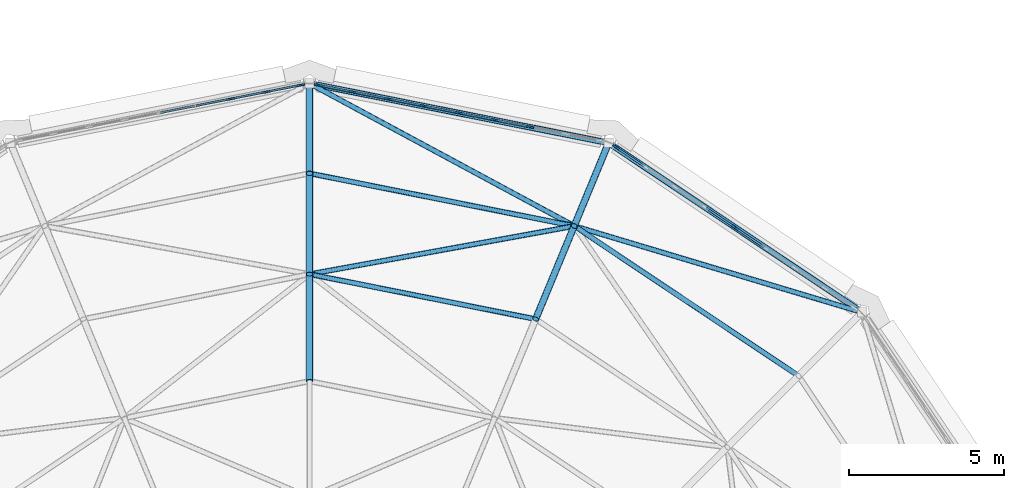
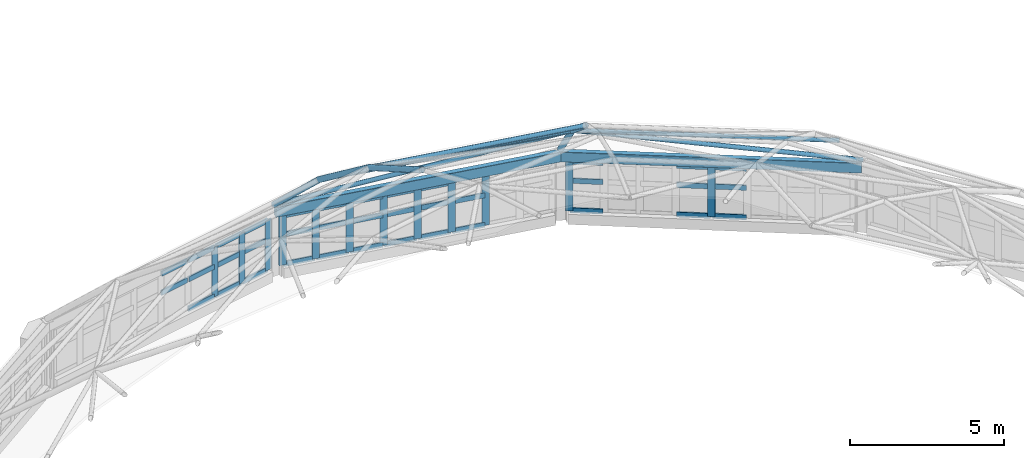
# One storey, part 26 of 68: 60 members, 2 beams, 3 elements without a shape of their own.
"""IFC4 building model written with IfcOpenShell, lengths in metres."""

from ifc_helpers import new_model, si_unit, direction, frame, origin, origin_2d, place, context, subcontext, project, spatial, rectangle, hollow_rectangle, hollow_circle, extrude, material, material_profile, profile_set, type_object, element, aggregate, save


model = new_model("IFC4")

# Units and contexts
model_context = context("Model", 3, precision=1e-05, world=origin(), true_north=direction((0.0, 1.0)))
body_context = subcontext(model_context, "Body", "Model", "MODEL_VIEW")
ifc_project = project(units=[si_unit("LENGTHUNIT", "METRE"), si_unit("AREAUNIT", "SQUARE_METRE"), si_unit("VOLUMEUNIT", "CUBIC_METRE"), si_unit("PLANEANGLEUNIT", "RADIAN"), si_unit("MASSUNIT", "GRAM", prefix="KILO")], contexts=[model_context])

# Site, building, storey
site_placement = place(None, origin())
site = spatial("IfcSite", under=ifc_project, at=site_placement, CompositionType="ELEMENT")
building_placement = place(site_placement, origin())
building = spatial("IfcBuilding", under=site, at=building_placement, Name="Kupolbacken Congress Centre", CompositionType="ELEMENT")
storey_placement = place(building_placement, frame((0.0, 0.0, 25.199951171875)))
storey = spatial("IfcBuildingStorey", under=building, at=storey_placement, Name="L07", CompositionType="ELEMENT", Elevation=25.199951171875)

# Beams
ifc_material_1 = material(Name="Steel S355", Category="steel")
ifc_material_profile_1 = material_profile(ifc_material_1, hollow_rectangle(XDim=0.199951171875, YDim=0.39990234375, WallThickness=0.012451171875, InnerFilletRadius=0.012451171875, OuterFilletRadius=0.018798828125, at=origin_2d()), Name="RHS 400 x 200 x 12.5")
ifc_profile_set_1 = profile_set([ifc_material_profile_1], Name="Steel S355")
beam_type = type_object("IfcBeamType", Name="B19 ring beam RHS 400 x 200 x 12.5", PredefinedType="BEAM", material=ifc_profile_set_1)
beam_1_placement = place(storey_placement, frame((61.00244140625, 104.230224609375, 2.590087890625), z_axis=(-0.831474515513, 0.555562894777, 0.0), x_axis=(-0.555562894777, -0.831474515513, 0.0)))
element("IfcBeam", 1, at=beam_1_placement, inside=storey, type_object=beam_type, Name="DM/RB/03", PredefinedType="BEAM", context=body_context, shape_type="SweptSolid", body=[
    extrude(hollow_rectangle(XDim=0.199951171875, YDim=0.39990234375, WallThickness=0.012451171875, InnerFilletRadius=0.012451171875, OuterFilletRadius=0.018798828125, at=origin_2d()), origin(), (0.0, 0.0, 1.0), 9.792724609375),
])
beam_2_placement = place(storey_placement, frame((52.82421875, 109.685546875, 2.590087890625), z_axis=(-0.980782472775, 0.195104436388, 0.0), x_axis=(-0.195104436388, -0.980782472775, 0.0)))
element("IfcBeam", 2, at=beam_2_placement, inside=storey, type_object=beam_type, Name="DM/RB/04", PredefinedType="BEAM", context=body_context, shape_type="SweptSolid", body=[
    extrude(hollow_rectangle(XDim=0.199951171875, YDim=0.39990234375, WallThickness=0.012451171875, InnerFilletRadius=0.012451171875, OuterFilletRadius=0.018798828125, at=origin_2d()), origin(), (0.0, 0.0, 1.0), 9.79296875),
])

# Members
ifc_material_2 = material(Name="Steel S355", Category="steel")
ifc_material_profile_2 = material_profile(ifc_material_2, hollow_circle(Radius=0.109619140625, WallThickness=0.010009765625, at=origin_2d()), Name="CHS 219.1 x 10")
ifc_profile_set_2 = profile_set([ifc_material_profile_2], Name="Steel S355")
member_type_1 = type_object("IfcMemberType", Name="M15 dome rib CHS 219.1 x 10", PredefinedType="BRACE", material=ifc_profile_set_2)
for number, where, z_axis, x_axis, name in (
    (3, (52.843505859375, 109.681884765625, 2.86279296875), (-0.278245064501, -0.671889897228, 0.686399045806), (0.923909109827, -0.382612018603, 0.0), "DM/RIB01-04"),
    (4, (43.199951171875, 111.60009765625, 2.86279296875), (0.0, -0.727228733861, 0.68639519859), (1.0, 0.0, 0.0), "DM/RIB01-05"),
):
    element("IfcMember", number, at=place(storey_placement, frame(where, z_axis=z_axis, x_axis=x_axis)), inside=storey, type_object=member_type_1, Name=name, PredefinedType="BRACE", context=body_context, shape_type="SweptSolid", body=[
        extrude(hollow_circle(Radius=0.109619140625, WallThickness=0.010009765625, at=origin_2d()), origin(), (0.0, 0.0, 1.0), 3.988037109375),
    ])
member_1_placement = place(storey_placement, frame((51.73388671875, 107.00244140625, 5.60009765625), z_axis=(-0.305577803829, -0.737729845207, 0.60197747574), x_axis=(0.923879489751, -0.382683535598, 0.0)))
element("IfcMember", 5, at=member_1_placement, inside=storey, type_object=member_type_1, Name="DM/RIB02-04", PredefinedType="BRACE", context=body_context, shape_type="SweptSolid", body=[
    extrude(hollow_circle(Radius=0.109619140625, WallThickness=0.010009765625, at=origin_2d()), origin(), (0.0, 0.0, 1.0), 4.06982421875),
])
member_2_placement = place(storey_placement, frame((43.199951171875, 108.699951171875, 5.60009765625), z_axis=(0.0, -0.798529155013, 0.601956135108), x_axis=(1.0, 0.0, 0.0)))
element("IfcMember", 6, at=member_2_placement, inside=storey, type_object=member_type_1, Name="DM/RIB02-05", PredefinedType="BRACE", context=body_context, shape_type="SweptSolid", body=[
    extrude(hollow_circle(Radius=0.109619140625, WallThickness=0.010009765625, at=origin_2d()), origin(), (0.0, 0.0, 1.0), 4.070068359375),
])
member_3_placement = place(storey_placement, frame((43.199951171875, 105.449951171875, 8.050048828125), z_axis=(0.0, -0.865136921549, 0.501535748449), x_axis=(1.0, 0.0, 0.0)))
element("IfcMember", 7, at=member_3_placement, inside=storey, type_object=member_type_1, Name="DM/RIB03-05", PredefinedType="BRACE", context=body_context, shape_type="SweptSolid", body=[
    extrude(hollow_circle(Radius=0.109619140625, WallThickness=0.010009765625, at=origin_2d()), origin(), (0.0, 0.0, 1.0), 3.98779296875),
])
ifc_material_3 = material(Name="Steel S355", Category="steel")
ifc_material_profile_3 = material_profile(ifc_material_3, hollow_circle(Radius=0.084228515625, WallThickness=0.008056640625, at=origin_2d()), Name="CHS 168.3 x 8")
ifc_profile_set_3 = profile_set([ifc_material_profile_3], Name="Steel S355")
member_type_2 = type_object("IfcMemberType", Name="M16 dome rib CHS 168.3 x 8", PredefinedType="BRACE", material=ifc_profile_set_3)
member_4_placement = place(storey_placement, frame((61.01904296875, 104.218994140625, 2.86279296875), z_axis=(-0.921835584423, 0.276342224916, 0.271761163561), x_axis=(-0.287149161678, -0.957885879919, 0.0)))
element("IfcMember", 8, at=member_4_placement, inside=storey, type_object=member_type_2, Name="DM/DIA01-03", PredefinedType="BRACE", context=body_context, shape_type="SweptSolid", body=[
    extrude(hollow_circle(Radius=0.084228515625, WallThickness=0.008056640625, at=origin_2d()), origin(), (0.0, 0.0, 1.0), 10.072509765625),
])
member_5_placement = place(storey_placement, frame((51.73388671875, 107.00244140625, 5.60009765625), z_axis=(-0.84723395117, 0.456447139707, -0.271754743542), x_axis=(-0.474296559813, -0.880365136378, 0.0)))
element("IfcMember", 9, at=member_5_placement, inside=storey, type_object=member_type_2, Name="DM/DIA01-04", PredefinedType="BRACE", context=body_context, shape_type="SweptSolid", body=[
    extrude(hollow_circle(Radius=0.084228515625, WallThickness=0.008056640625, at=origin_2d()), origin(), (0.0, 0.0, 1.0), 10.07275390625),
])
member_6_placement = place(storey_placement, frame((51.73388671875, 107.00244140625, 5.60009765625), z_axis=(-0.946810249917, -0.172243352288, 0.271813499011), x_axis=(0.178982035285, -0.983852342095, 0.0)))
element("IfcMember", 10, at=member_6_placement, inside=storey, type_object=member_type_2, Name="DM/DIA02-04", PredefinedType="BRACE", context=body_context, shape_type="SweptSolid", body=[
    extrude(hollow_circle(Radius=0.084228515625, WallThickness=0.008056640625, at=origin_2d()), origin(), (0.0, 0.0, 1.0), 9.013427734375),
])
ifc_material_4 = material(Name="Steel S355", Category="steel")
ifc_material_profile_4 = material_profile(ifc_material_4, hollow_circle(Radius=0.084228515625, WallThickness=0.008056640625, at=origin_2d()), Name="CHS 168.3 x 8")
ifc_profile_set_4 = profile_set([ifc_material_profile_4], Name="Steel S355")
member_type_3 = type_object("IfcMemberType", Name="M17 dome ring CHS 168.3 x 8", PredefinedType="BRACE", material=ifc_profile_set_4)
member_7_placement = place(storey_placement, frame((58.968505859375, 102.16845703125, 5.60009765625), z_axis=(-0.831471395516, 0.555567564243, 0.0), x_axis=(-0.555567564243, -0.831471395516, 0.0)))
element("IfcMember", 11, at=member_7_placement, inside=storey, type_object=member_type_3, Name="DM/RNG01-03", PredefinedType="BRACE", context=body_context, shape_type="SweptSolid", body=[
    extrude(hollow_circle(Radius=0.084228515625, WallThickness=0.008056640625, at=origin_2d()), origin(), (0.0, 0.0, 1.0), 8.700927734375),
])
member_8_placement = place(storey_placement, frame((51.73388671875, 107.00244140625, 5.60009765625), z_axis=(-0.980785182701, 0.195090813198, 0.0), x_axis=(-0.195090813198, -0.980785182701, 0.0)))
element("IfcMember", 12, at=member_8_placement, inside=storey, type_object=member_type_3, Name="DM/RNG01-04", PredefinedType="BRACE", context=body_context, shape_type="SweptSolid", body=[
    extrude(hollow_circle(Radius=0.084228515625, WallThickness=0.008056640625, at=origin_2d()), origin(), (0.0, 0.0, 1.0), 8.701171875),
])
member_9_placement = place(storey_placement, frame((50.490234375, 104.0, 8.050048828125), z_axis=(-0.980789818928, 0.195067503922, 0.0), x_axis=(-0.195067503922, -0.980789818928, 0.0)))
element("IfcMember", 13, at=member_9_placement, inside=storey, type_object=member_type_3, Name="DM/RNG02-04", PredefinedType="BRACE", context=body_context, shape_type="SweptSolid", body=[
    extrude(hollow_circle(Radius=0.084228515625, WallThickness=0.008056640625, at=origin_2d()), origin(), (0.0, 0.0, 1.0), 7.43310546875),
])

# Curtain wall, members
ifc_material_5 = material(Name="Aluminium mullion-transom frame with glass", Category="aluminium")
curtain_wall_type = type_object("IfcCurtainWallType", Name="CW3 curtain wall 9830x3600", PredefinedType="NOTDEFINED", material=ifc_material_5)
curtain_wall_1_placement = place(storey_placement, origin())
curtain_wall_1 = element("IfcCurtainWall", 14, at=curtain_wall_1_placement, inside=storey, type_object=curtain_wall_type, Name="E/P/drum/cw/L07/10", PredefinedType="NOTDEFINED")
ifc_material_6 = material(Name="Aluminium alloy", Category="aluminium")
ifc_material_profile_5 = material_profile(ifc_material_6, rectangle(XDim=0.06005859375, YDim=0.25, at=origin_2d()), Name="60 x 250")
ifc_profile_set_5 = profile_set([ifc_material_profile_5], Name="Aluminium alloy")
member_type_4 = type_object("IfcMemberType", Name="MU3 mullion 60x250", PredefinedType="MULLION", material=ifc_profile_set_5)
member_10_placement = place(storey_placement, frame((56.925048828125, 106.949951171875, 0.400146484375), z_axis=(0.0, 0.0, 1.0), x_axis=(-0.559385512775, -0.82890762338, 0.0)))
member_10 = element("IfcMember", 15, at=member_10_placement, type_object=member_type_4, Name="CW3 mullion 5", PredefinedType="MULLION", context=body_context, shape_type="SweptSolid", body=[
    extrude(rectangle(XDim=0.06005859375, YDim=0.25, at=origin_2d()), origin(), (0.0, 0.0, 1.0), 1.989990234375),
])
member_11_placement = place(storey_placement, frame((53.08203125, 109.54345703125, 0.400146484375), z_axis=(0.0, 0.0, 1.0), x_axis=(-0.559385512775, -0.82890762338, 0.0)))
member_11 = element("IfcMember", 16, at=member_11_placement, type_object=member_type_4, Name="CW3 mullion 9", PredefinedType="MULLION", context=body_context, shape_type="SweptSolid", body=[
    extrude(rectangle(XDim=0.06005859375, YDim=0.25, at=origin_2d()), origin(), (0.0, 0.0, 1.0), 1.989990234375),
])

curtain_wall_2_placement = place(storey_placement, origin())
curtain_wall_2 = element("IfcCurtainWall", 17, at=curtain_wall_2_placement, inside=storey, type_object=curtain_wall_type, Name="E/P/drum/cw/L07/11", PredefinedType="NOTDEFINED")
member_12_placement = place(storey_placement, frame((50.31494140625, 110.19921875, 0.400146484375), z_axis=(0.0, 0.0, 1.0), x_axis=(-0.193182327812, -0.981162875481, 0.0)))
member_12 = element("IfcMember", 18, at=member_12_placement, type_object=member_type_4, Name="CW3 mullion 3", PredefinedType="MULLION", context=body_context, shape_type="SweptSolid", body=[
    extrude(rectangle(XDim=0.06005859375, YDim=0.25, at=origin_2d()), origin(), (0.0, 0.0, 1.0), 1.989990234375),
])
member_13_placement = place(storey_placement, frame((49.169921875, 110.424560546875, 0.400146484375), z_axis=(0.0, 0.0, 1.0), x_axis=(-0.193182327812, -0.981162875481, 0.0)))
member_13 = element("IfcMember", 19, at=member_13_placement, type_object=member_type_4, Name="CW3 mullion 4", PredefinedType="MULLION", context=body_context, shape_type="SweptSolid", body=[
    extrude(rectangle(XDim=0.06005859375, YDim=0.25, at=origin_2d()), origin(), (0.0, 0.0, 1.0), 1.989990234375),
])
member_14_placement = place(storey_placement, frame((48.02490234375, 110.64990234375, 0.400146484375), z_axis=(0.0, 0.0, 1.0), x_axis=(-0.193182327812, -0.981162875481, 0.0)))
member_14 = element("IfcMember", 20, at=member_14_placement, type_object=member_type_4, Name="CW3 mullion 5", PredefinedType="MULLION", context=body_context, shape_type="SweptSolid", body=[
    extrude(rectangle(XDim=0.06005859375, YDim=0.25, at=origin_2d()), origin(), (0.0, 0.0, 1.0), 1.989990234375),
])
member_15_placement = place(storey_placement, frame((46.880126953125, 110.87548828125, 0.400146484375), z_axis=(0.0, 0.0, 1.0), x_axis=(-0.193182327812, -0.981162875481, 0.0)))
member_15 = element("IfcMember", 21, at=member_15_placement, type_object=member_type_4, Name="CW3 mullion 6", PredefinedType="MULLION", context=body_context, shape_type="SweptSolid", body=[
    extrude(rectangle(XDim=0.06005859375, YDim=0.25, at=origin_2d()), origin(), (0.0, 0.0, 1.0), 1.989990234375),
])
member_16_placement = place(storey_placement, frame((45.735107421875, 111.100830078125, 0.400146484375), z_axis=(0.0, 0.0, 1.0), x_axis=(-0.193182327812, -0.981162875481, 0.0)))
member_16 = element("IfcMember", 22, at=member_16_placement, type_object=member_type_4, Name="CW3 mullion 7", PredefinedType="MULLION", context=body_context, shape_type="SweptSolid", body=[
    extrude(rectangle(XDim=0.06005859375, YDim=0.25, at=origin_2d()), origin(), (0.0, 0.0, 1.0), 1.989990234375),
])
member_17_placement = place(storey_placement, frame((44.59033203125, 111.326171875, 0.400146484375), z_axis=(0.0, 0.0, 1.0), x_axis=(-0.193182327812, -0.981162875481, 0.0)))
member_17 = element("IfcMember", 23, at=member_17_placement, type_object=member_type_4, Name="CW3 mullion 8", PredefinedType="MULLION", context=body_context, shape_type="SweptSolid", body=[
    extrude(rectangle(XDim=0.06005859375, YDim=0.25, at=origin_2d()), origin(), (0.0, 0.0, 1.0), 1.989990234375),
])
member_18_placement = place(storey_placement, frame((43.474609375, 111.5458984375, 0.400146484375), z_axis=(0.0, 0.0, 1.0), x_axis=(-0.193182327812, -0.981162875481, 0.0)))
member_18 = element("IfcMember", 24, at=member_18_placement, type_object=member_type_4, Name="CW3 mullion 9", PredefinedType="MULLION", context=body_context, shape_type="SweptSolid", body=[
    extrude(rectangle(XDim=0.06005859375, YDim=0.25, at=origin_2d()), origin(), (0.0, 0.0, 1.0), 1.989990234375),
])

curtain_wall_3_placement = place(storey_placement, origin())
curtain_wall_3 = element("IfcCurtainWall", 25, at=curtain_wall_3_placement, inside=storey, type_object=curtain_wall_type, Name="E/P/drum/cw/L07/12", PredefinedType="NOTDEFINED")
member_19_placement = place(storey_placement, frame((42.92529296875, 111.5458984375, 0.400146484375), z_axis=(0.0, 0.0, 1.0), x_axis=(0.193182327812, -0.981162875481, 0.0)))
member_19 = element("IfcMember", 26, at=member_19_placement, type_object=member_type_4, Name="CW3 mullion 1", PredefinedType="MULLION", context=body_context, shape_type="SweptSolid", body=[
    extrude(rectangle(XDim=0.06005859375, YDim=0.25, at=origin_2d()), origin(), (0.0, 0.0, 1.0), 1.989990234375),
])
member_20_placement = place(storey_placement, frame((41.809814453125, 111.326171875, 0.400146484375), z_axis=(0.0, 0.0, 1.0), x_axis=(0.193182327812, -0.981162875481, 0.0)))
member_20 = element("IfcMember", 27, at=member_20_placement, type_object=member_type_4, Name="CW3 mullion 2", PredefinedType="MULLION", context=body_context, shape_type="SweptSolid", body=[
    extrude(rectangle(XDim=0.06005859375, YDim=0.25, at=origin_2d()), origin(), (0.0, 0.0, 1.0), 1.989990234375),
])
member_21_placement = place(storey_placement, frame((40.664794921875, 111.100830078125, 0.400146484375), z_axis=(0.0, 0.0, 1.0), x_axis=(0.193182327812, -0.981162875481, 0.0)))
member_21 = element("IfcMember", 28, at=member_21_placement, type_object=member_type_4, Name="CW3 mullion 3", PredefinedType="MULLION", context=body_context, shape_type="SweptSolid", body=[
    extrude(rectangle(XDim=0.06005859375, YDim=0.25, at=origin_2d()), origin(), (0.0, 0.0, 1.0), 1.989990234375),
])

# Member
ifc_material_7 = material(Name="Aluminium alloy", Category="aluminium")
ifc_material_profile_6 = material_profile(ifc_material_7, rectangle(XDim=0.06005859375, YDim=0.199951171875, at=origin_2d()), Name="60 x 200")
ifc_profile_set_6 = profile_set([ifc_material_profile_6], Name="Aluminium alloy")
member_type_5 = type_object("IfcMemberType", Name="TR3 transom 60x200", PredefinedType="MULLION", material=ifc_profile_set_6)
member_22_placement = place(storey_placement, frame((57.8671875, 106.314208984375, 0.429931640625), z_axis=(-0.828948418317, 0.559325057342, 0.0), x_axis=(-0.559325057342, -0.828948418317, 0.0)))
member_22 = element("IfcMember", 29, at=member_22_placement, type_object=member_type_5, Name="CW3 transom 4.1", PredefinedType="MULLION", context=body_context, shape_type="SweptSolid", body=[
    extrude(rectangle(XDim=0.06005859375, YDim=0.199951171875, at=origin_2d()), origin(), (0.0, 0.0, 1.0), 1.1064453125),
])

member_23_placement = place(storey_placement, frame((57.8671875, 106.314208984375, 1.60009765625), z_axis=(-0.828948418317, 0.559325057342, 0.0), x_axis=(-0.559325057342, -0.828948418317, 0.0)))
member_23 = element("IfcMember", 30, at=member_23_placement, type_object=member_type_5, Name="CW3 transom 4.2", PredefinedType="MULLION", context=body_context, shape_type="SweptSolid", body=[
    extrude(rectangle(XDim=0.06005859375, YDim=0.199951171875, at=origin_2d()), origin(), (0.0, 0.0, 1.0), 1.1064453125),
])

member_24_placement = place(storey_placement, frame((57.8671875, 106.314208984375, 2.360107421875), z_axis=(-0.828948418317, 0.559325057342, 0.0), x_axis=(-0.559325057342, -0.828948418317, 0.0)))
member_24 = element("IfcMember", 31, at=member_24_placement, type_object=member_type_5, Name="CW3 transom 4.3", PredefinedType="MULLION", context=body_context, shape_type="SweptSolid", body=[
    extrude(rectangle(XDim=0.06005859375, YDim=0.199951171875, at=origin_2d()), origin(), (0.0, 0.0, 1.0), 1.1064453125),
])

member_25_placement = place(storey_placement, frame((56.900146484375, 106.966796875, 0.429931640625), z_axis=(-0.828948418317, 0.559325057342, 0.0), x_axis=(-0.559325057342, -0.828948418317, 0.0)))
member_25 = element("IfcMember", 32, at=member_25_placement, type_object=member_type_5, Name="CW3 transom 5.1", PredefinedType="MULLION", context=body_context, shape_type="SweptSolid", body=[
    extrude(rectangle(XDim=0.06005859375, YDim=0.199951171875, at=origin_2d()), origin(), (0.0, 0.0, 1.0), 1.1064453125),
])

member_26_placement = place(storey_placement, frame((56.900146484375, 106.966796875, 1.60009765625), z_axis=(-0.828948418317, 0.559325057342, 0.0), x_axis=(-0.559325057342, -0.828948418317, 0.0)))
member_26 = element("IfcMember", 33, at=member_26_placement, type_object=member_type_5, Name="CW3 transom 5.2", PredefinedType="MULLION", context=body_context, shape_type="SweptSolid", body=[
    extrude(rectangle(XDim=0.06005859375, YDim=0.199951171875, at=origin_2d()), origin(), (0.0, 0.0, 1.0), 1.1064453125),
])

member_27_placement = place(storey_placement, frame((56.900146484375, 106.966796875, 2.360107421875), z_axis=(-0.828948418317, 0.559325057342, 0.0), x_axis=(-0.559325057342, -0.828948418317, 0.0)))
member_27 = element("IfcMember", 34, at=member_27_placement, type_object=member_type_5, Name="CW3 transom 5.3", PredefinedType="MULLION", context=body_context, shape_type="SweptSolid", body=[
    extrude(rectangle(XDim=0.06005859375, YDim=0.199951171875, at=origin_2d()), origin(), (0.0, 0.0, 1.0), 1.1064453125),
])

member_28_placement = place(storey_placement, frame((53.999267578125, 108.92431640625, 0.429931640625), z_axis=(-0.8288618188, 0.559453380842, 0.0), x_axis=(-0.559453380842, -0.8288618188, 0.0)))
member_28 = element("IfcMember", 35, at=member_28_placement, type_object=member_type_5, Name="CW3 transom 8.1", PredefinedType="MULLION", context=body_context, shape_type="SweptSolid", body=[
    extrude(rectangle(XDim=0.06005859375, YDim=0.199951171875, at=origin_2d()), origin(), (0.0, 0.0, 1.0), 1.07666015625),
])

member_29_placement = place(storey_placement, frame((53.999267578125, 108.92431640625, 1.60009765625), z_axis=(-0.8288618188, 0.559453380842, 0.0), x_axis=(-0.559453380842, -0.8288618188, 0.0)))
member_29 = element("IfcMember", 36, at=member_29_placement, type_object=member_type_5, Name="CW3 transom 8.2", PredefinedType="MULLION", context=body_context, shape_type="SweptSolid", body=[
    extrude(rectangle(XDim=0.06005859375, YDim=0.199951171875, at=origin_2d()), origin(), (0.0, 0.0, 1.0), 1.07666015625),
])

member_30_placement = place(storey_placement, frame((53.999267578125, 108.92431640625, 2.360107421875), z_axis=(-0.8288618188, 0.559453380842, 0.0), x_axis=(-0.559453380842, -0.8288618188, 0.0)))
member_30 = element("IfcMember", 37, at=member_30_placement, type_object=member_type_5, Name="CW3 transom 8.3", PredefinedType="MULLION", context=body_context, shape_type="SweptSolid", body=[
    extrude(rectangle(XDim=0.06005859375, YDim=0.199951171875, at=origin_2d()), origin(), (0.0, 0.0, 1.0), 1.07666015625),
])

aggregate(curtain_wall_1, [member_10, member_11, member_22, member_23, member_24, member_25, member_26, member_27, member_28, member_29, member_30])

member_31_placement = place(storey_placement, frame((50.285400390625, 110.204833984375, 0.429931640625), z_axis=(-0.981153342462, 0.193230739208, 0.0), x_axis=(-0.193230739208, -0.981153342462, 0.0)))
member_31 = element("IfcMember", 38, at=member_31_placement, type_object=member_type_5, Name="CW3 transom 3.1", PredefinedType="MULLION", context=body_context, shape_type="SweptSolid", body=[
    extrude(rectangle(XDim=0.06005859375, YDim=0.199951171875, at=origin_2d()), origin(), (0.0, 0.0, 1.0), 1.106689453125),
])

member_32_placement = place(storey_placement, frame((50.285400390625, 110.204833984375, 1.60009765625), z_axis=(-0.981153342462, 0.193230739208, 0.0), x_axis=(-0.193230739208, -0.981153342462, 0.0)))
member_32 = element("IfcMember", 39, at=member_32_placement, type_object=member_type_5, Name="CW3 transom 3.2", PredefinedType="MULLION", context=body_context, shape_type="SweptSolid", body=[
    extrude(rectangle(XDim=0.06005859375, YDim=0.199951171875, at=origin_2d()), origin(), (0.0, 0.0, 1.0), 1.106689453125),
])

member_33_placement = place(storey_placement, frame((49.140380859375, 110.430419921875, 0.429931640625), z_axis=(-0.981153342462, 0.193230739208, 0.0), x_axis=(-0.193230739208, -0.981153342462, 0.0)))
member_33 = element("IfcMember", 40, at=member_33_placement, type_object=member_type_5, Name="CW3 transom 4.1", PredefinedType="MULLION", context=body_context, shape_type="SweptSolid", body=[
    extrude(rectangle(XDim=0.06005859375, YDim=0.199951171875, at=origin_2d()), origin(), (0.0, 0.0, 1.0), 1.106689453125),
])

member_34_placement = place(storey_placement, frame((49.140380859375, 110.430419921875, 1.60009765625), z_axis=(-0.981153342462, 0.193230739208, 0.0), x_axis=(-0.193230739208, -0.981153342462, 0.0)))
member_34 = element("IfcMember", 41, at=member_34_placement, type_object=member_type_5, Name="CW3 transom 4.2", PredefinedType="MULLION", context=body_context, shape_type="SweptSolid", body=[
    extrude(rectangle(XDim=0.06005859375, YDim=0.199951171875, at=origin_2d()), origin(), (0.0, 0.0, 1.0), 1.106689453125),
])

member_35_placement = place(storey_placement, frame((49.140380859375, 110.430419921875, 2.360107421875), z_axis=(-0.981153342462, 0.193230739208, 0.0), x_axis=(-0.193230739208, -0.981153342462, 0.0)))
member_35 = element("IfcMember", 42, at=member_35_placement, type_object=member_type_5, Name="CW3 transom 4.3", PredefinedType="MULLION", context=body_context, shape_type="SweptSolid", body=[
    extrude(rectangle(XDim=0.06005859375, YDim=0.199951171875, at=origin_2d()), origin(), (0.0, 0.0, 1.0), 1.106689453125),
])

member_36_placement = place(storey_placement, frame((47.99560546875, 110.65576171875, 0.429931640625), z_axis=(-0.981161575945, 0.193188927968, 0.0), x_axis=(-0.193188927968, -0.981161575945, 0.0)))
member_36 = element("IfcMember", 43, at=member_36_placement, type_object=member_type_5, Name="CW3 transom 5.1", PredefinedType="MULLION", context=body_context, shape_type="SweptSolid", body=[
    extrude(rectangle(XDim=0.06005859375, YDim=0.199951171875, at=origin_2d()), origin(), (0.0, 0.0, 1.0), 1.10693359375),
])

member_37_placement = place(storey_placement, frame((47.99560546875, 110.65576171875, 1.60009765625), z_axis=(-0.981161575945, 0.193188927968, 0.0), x_axis=(-0.193188927968, -0.981161575945, 0.0)))
member_37 = element("IfcMember", 44, at=member_37_placement, type_object=member_type_5, Name="CW3 transom 5.2", PredefinedType="MULLION", context=body_context, shape_type="SweptSolid", body=[
    extrude(rectangle(XDim=0.06005859375, YDim=0.199951171875, at=origin_2d()), origin(), (0.0, 0.0, 1.0), 1.10693359375),
])

member_38_placement = place(storey_placement, frame((47.99560546875, 110.65576171875, 2.360107421875), z_axis=(-0.981161575945, 0.193188927968, 0.0), x_axis=(-0.193188927968, -0.981161575945, 0.0)))
member_38 = element("IfcMember", 45, at=member_38_placement, type_object=member_type_5, Name="CW3 transom 5.3", PredefinedType="MULLION", context=body_context, shape_type="SweptSolid", body=[
    extrude(rectangle(XDim=0.06005859375, YDim=0.199951171875, at=origin_2d()), origin(), (0.0, 0.0, 1.0), 1.10693359375),
])

member_39_placement = place(storey_placement, frame((46.8505859375, 110.881103515625, 0.429931640625), z_axis=(-0.981153342462, 0.193230739208, 0.0), x_axis=(-0.193230739208, -0.981153342462, 0.0)))
member_39 = element("IfcMember", 46, at=member_39_placement, type_object=member_type_5, Name="CW3 transom 6.1", PredefinedType="MULLION", context=body_context, shape_type="SweptSolid", body=[
    extrude(rectangle(XDim=0.06005859375, YDim=0.199951171875, at=origin_2d()), origin(), (0.0, 0.0, 1.0), 1.106689453125),
])

member_40_placement = place(storey_placement, frame((46.8505859375, 110.881103515625, 1.60009765625), z_axis=(-0.981153342462, 0.193230739208, 0.0), x_axis=(-0.193230739208, -0.981153342462, 0.0)))
member_40 = element("IfcMember", 47, at=member_40_placement, type_object=member_type_5, Name="CW3 transom 6.2", PredefinedType="MULLION", context=body_context, shape_type="SweptSolid", body=[
    extrude(rectangle(XDim=0.06005859375, YDim=0.199951171875, at=origin_2d()), origin(), (0.0, 0.0, 1.0), 1.106689453125),
])

member_41_placement = place(storey_placement, frame((46.8505859375, 110.881103515625, 2.360107421875), z_axis=(-0.981153342462, 0.193230739208, 0.0), x_axis=(-0.193230739208, -0.981153342462, 0.0)))
member_41 = element("IfcMember", 48, at=member_41_placement, type_object=member_type_5, Name="CW3 transom 6.3", PredefinedType="MULLION", context=body_context, shape_type="SweptSolid", body=[
    extrude(rectangle(XDim=0.06005859375, YDim=0.199951171875, at=origin_2d()), origin(), (0.0, 0.0, 1.0), 1.106689453125),
])

member_42_placement = place(storey_placement, frame((45.705810546875, 111.106689453125, 0.429931640625), z_axis=(-0.981161575945, 0.193188927968, 0.0), x_axis=(-0.193188927968, -0.981161575945, 0.0)))
member_42 = element("IfcMember", 49, at=member_42_placement, type_object=member_type_5, Name="CW3 transom 7.1", PredefinedType="MULLION", context=body_context, shape_type="SweptSolid", body=[
    extrude(rectangle(XDim=0.06005859375, YDim=0.199951171875, at=origin_2d()), origin(), (0.0, 0.0, 1.0), 1.10693359375),
])

member_43_placement = place(storey_placement, frame((45.705810546875, 111.106689453125, 1.60009765625), z_axis=(-0.981161575945, 0.193188927968, 0.0), x_axis=(-0.193188927968, -0.981161575945, 0.0)))
member_43 = element("IfcMember", 50, at=member_43_placement, type_object=member_type_5, Name="CW3 transom 7.2", PredefinedType="MULLION", context=body_context, shape_type="SweptSolid", body=[
    extrude(rectangle(XDim=0.06005859375, YDim=0.199951171875, at=origin_2d()), origin(), (0.0, 0.0, 1.0), 1.10693359375),
])

member_44_placement = place(storey_placement, frame((45.705810546875, 111.106689453125, 2.360107421875), z_axis=(-0.981161575945, 0.193188927968, 0.0), x_axis=(-0.193188927968, -0.981161575945, 0.0)))
member_44 = element("IfcMember", 51, at=member_44_placement, type_object=member_type_5, Name="CW3 transom 7.3", PredefinedType="MULLION", context=body_context, shape_type="SweptSolid", body=[
    extrude(rectangle(XDim=0.06005859375, YDim=0.199951171875, at=origin_2d()), origin(), (0.0, 0.0, 1.0), 1.10693359375),
])

member_45_placement = place(storey_placement, frame((44.560791015625, 111.33203125, 0.429931640625), z_axis=(-0.981169108955, 0.193150665626, 0.0), x_axis=(-0.193150665626, -0.981169108955, 0.0)))
member_45 = element("IfcMember", 52, at=member_45_placement, type_object=member_type_5, Name="CW3 transom 8.1", PredefinedType="MULLION", context=body_context, shape_type="SweptSolid", body=[
    extrude(rectangle(XDim=0.06005859375, YDim=0.199951171875, at=origin_2d()), origin(), (0.0, 0.0, 1.0), 1.076904296875),
])

member_46_placement = place(storey_placement, frame((44.560791015625, 111.33203125, 1.60009765625), z_axis=(-0.981169108955, 0.193150665626, 0.0), x_axis=(-0.193150665626, -0.981169108955, 0.0)))
member_46 = element("IfcMember", 53, at=member_46_placement, type_object=member_type_5, Name="CW3 transom 8.2", PredefinedType="MULLION", context=body_context, shape_type="SweptSolid", body=[
    extrude(rectangle(XDim=0.06005859375, YDim=0.199951171875, at=origin_2d()), origin(), (0.0, 0.0, 1.0), 1.076904296875),
])

member_47_placement = place(storey_placement, frame((44.560791015625, 111.33203125, 2.360107421875), z_axis=(-0.981169108955, 0.193150665626, 0.0), x_axis=(-0.193150665626, -0.981169108955, 0.0)))
member_47 = element("IfcMember", 54, at=member_47_placement, type_object=member_type_5, Name="CW3 transom 8.3", PredefinedType="MULLION", context=body_context, shape_type="SweptSolid", body=[
    extrude(rectangle(XDim=0.06005859375, YDim=0.199951171875, at=origin_2d()), origin(), (0.0, 0.0, 1.0), 1.076904296875),
])

aggregate(curtain_wall_2, [member_12, member_13, member_14, member_15, member_16, member_17, member_18, member_31, member_32, member_33, member_34, member_35, member_36, member_37, member_38, member_39, member_40, member_41, member_42, member_43, member_44, member_45, member_46, member_47])

member_48_placement = place(storey_placement, frame((42.895751953125, 111.5400390625, 0.429931640625), z_axis=(-0.981169108955, -0.193150665626, 0.0), x_axis=(0.193150665626, -0.981169108955, 0.0)))
member_48 = element("IfcMember", 55, at=member_48_placement, type_object=member_type_5, Name="CW3 transom 1.1", PredefinedType="MULLION", context=body_context, shape_type="SweptSolid", body=[
    extrude(rectangle(XDim=0.06005859375, YDim=0.199951171875, at=origin_2d()), origin(), (0.0, 0.0, 1.0), 1.076904296875),
])

member_49_placement = place(storey_placement, frame((42.895751953125, 111.5400390625, 1.60009765625), z_axis=(-0.981169108955, -0.193150665626, 0.0), x_axis=(0.193150665626, -0.981169108955, 0.0)))
member_49 = element("IfcMember", 56, at=member_49_placement, type_object=member_type_5, Name="CW3 transom 1.2", PredefinedType="MULLION", context=body_context, shape_type="SweptSolid", body=[
    extrude(rectangle(XDim=0.06005859375, YDim=0.199951171875, at=origin_2d()), origin(), (0.0, 0.0, 1.0), 1.076904296875),
])

member_50_placement = place(storey_placement, frame((42.895751953125, 111.5400390625, 2.360107421875), z_axis=(-0.981169108955, -0.193150665626, 0.0), x_axis=(0.193150665626, -0.981169108955, 0.0)))
member_50 = element("IfcMember", 57, at=member_50_placement, type_object=member_type_5, Name="CW3 transom 1.3", PredefinedType="MULLION", context=body_context, shape_type="SweptSolid", body=[
    extrude(rectangle(XDim=0.06005859375, YDim=0.199951171875, at=origin_2d()), origin(), (0.0, 0.0, 1.0), 1.076904296875),
])

member_51_placement = place(storey_placement, frame((41.7802734375, 111.320556640625, 0.429931640625), z_axis=(-0.981153342462, -0.193230739208, 0.0), x_axis=(0.193230739208, -0.981153342462, 0.0)))
member_51 = element("IfcMember", 58, at=member_51_placement, type_object=member_type_5, Name="CW3 transom 2.1", PredefinedType="MULLION", context=body_context, shape_type="SweptSolid", body=[
    extrude(rectangle(XDim=0.06005859375, YDim=0.199951171875, at=origin_2d()), origin(), (0.0, 0.0, 1.0), 1.106689453125),
])

member_52_placement = place(storey_placement, frame((41.7802734375, 111.320556640625, 1.60009765625), z_axis=(-0.981153342462, -0.193230739208, 0.0), x_axis=(0.193230739208, -0.981153342462, 0.0)))
member_52 = element("IfcMember", 59, at=member_52_placement, type_object=member_type_5, Name="CW3 transom 2.2", PredefinedType="MULLION", context=body_context, shape_type="SweptSolid", body=[
    extrude(rectangle(XDim=0.06005859375, YDim=0.199951171875, at=origin_2d()), origin(), (0.0, 0.0, 1.0), 1.106689453125),
])

member_53_placement = place(storey_placement, frame((41.7802734375, 111.320556640625, 2.360107421875), z_axis=(-0.981153342462, -0.193230739208, 0.0), x_axis=(0.193230739208, -0.981153342462, 0.0)))
member_53 = element("IfcMember", 60, at=member_53_placement, type_object=member_type_5, Name="CW3 transom 2.3", PredefinedType="MULLION", context=body_context, shape_type="SweptSolid", body=[
    extrude(rectangle(XDim=0.06005859375, YDim=0.199951171875, at=origin_2d()), origin(), (0.0, 0.0, 1.0), 1.106689453125),
])

member_54_placement = place(storey_placement, frame((40.635498046875, 111.094970703125, 0.429931640625), z_axis=(-0.981161575945, -0.193188927968, 0.0), x_axis=(0.193188927968, -0.981161575945, 0.0)))
member_54 = element("IfcMember", 61, at=member_54_placement, type_object=member_type_5, Name="CW3 transom 3.1", PredefinedType="MULLION", context=body_context, shape_type="SweptSolid", body=[
    extrude(rectangle(XDim=0.06005859375, YDim=0.199951171875, at=origin_2d()), origin(), (0.0, 0.0, 1.0), 1.10693359375),
])

member_55_placement = place(storey_placement, frame((40.635498046875, 111.094970703125, 1.60009765625), z_axis=(-0.981161575945, -0.193188927968, 0.0), x_axis=(0.193188927968, -0.981161575945, 0.0)))
member_55 = element("IfcMember", 62, at=member_55_placement, type_object=member_type_5, Name="CW3 transom 3.2", PredefinedType="MULLION", context=body_context, shape_type="SweptSolid", body=[
    extrude(rectangle(XDim=0.06005859375, YDim=0.199951171875, at=origin_2d()), origin(), (0.0, 0.0, 1.0), 1.10693359375),
])

member_56_placement = place(storey_placement, frame((40.635498046875, 111.094970703125, 2.360107421875), z_axis=(-0.981161575945, -0.193188927968, 0.0), x_axis=(0.193188927968, -0.981161575945, 0.0)))
member_56 = element("IfcMember", 63, at=member_56_placement, type_object=member_type_5, Name="CW3 transom 3.3", PredefinedType="MULLION", context=body_context, shape_type="SweptSolid", body=[
    extrude(rectangle(XDim=0.06005859375, YDim=0.199951171875, at=origin_2d()), origin(), (0.0, 0.0, 1.0), 1.10693359375),
])

member_57_placement = place(storey_placement, frame((39.490478515625, 110.86962890625, 1.60009765625), z_axis=(-0.981153342462, -0.193230739208, 0.0), x_axis=(0.193230739208, -0.981153342462, 0.0)))
member_57 = element("IfcMember", 64, at=member_57_placement, type_object=member_type_5, Name="CW3 transom 4.2", PredefinedType="MULLION", context=body_context, shape_type="SweptSolid", body=[
    extrude(rectangle(XDim=0.06005859375, YDim=0.199951171875, at=origin_2d()), origin(), (0.0, 0.0, 1.0), 1.106689453125),
])

member_58_placement = place(storey_placement, frame((39.490478515625, 110.86962890625, 2.360107421875), z_axis=(-0.981153342462, -0.193230739208, 0.0), x_axis=(0.193230739208, -0.981153342462, 0.0)))
member_58 = element("IfcMember", 65, at=member_58_placement, type_object=member_type_5, Name="CW3 transom 4.3", PredefinedType="MULLION", context=body_context, shape_type="SweptSolid", body=[
    extrude(rectangle(XDim=0.06005859375, YDim=0.199951171875, at=origin_2d()), origin(), (0.0, 0.0, 1.0), 1.106689453125),
])

aggregate(curtain_wall_3, [member_19, member_20, member_21, member_48, member_49, member_50, member_51, member_52, member_53, member_54, member_55, member_56, member_57, member_58])

save(model, "model.ifc")
